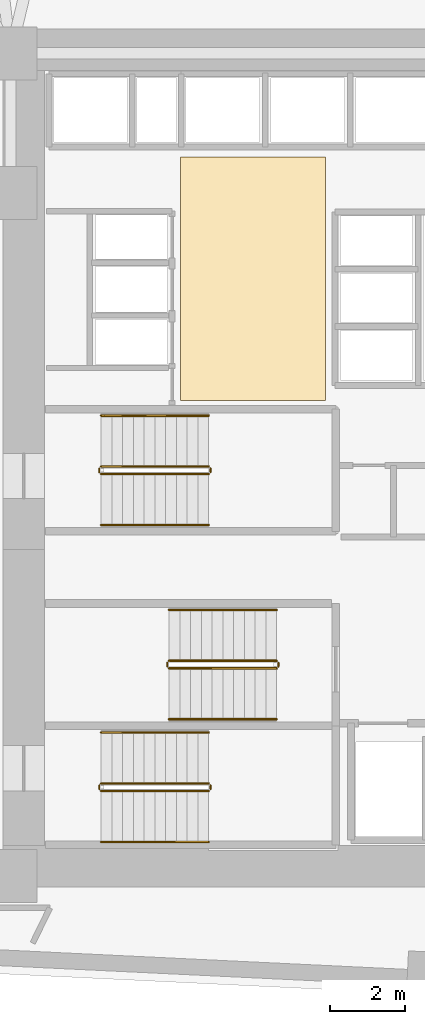
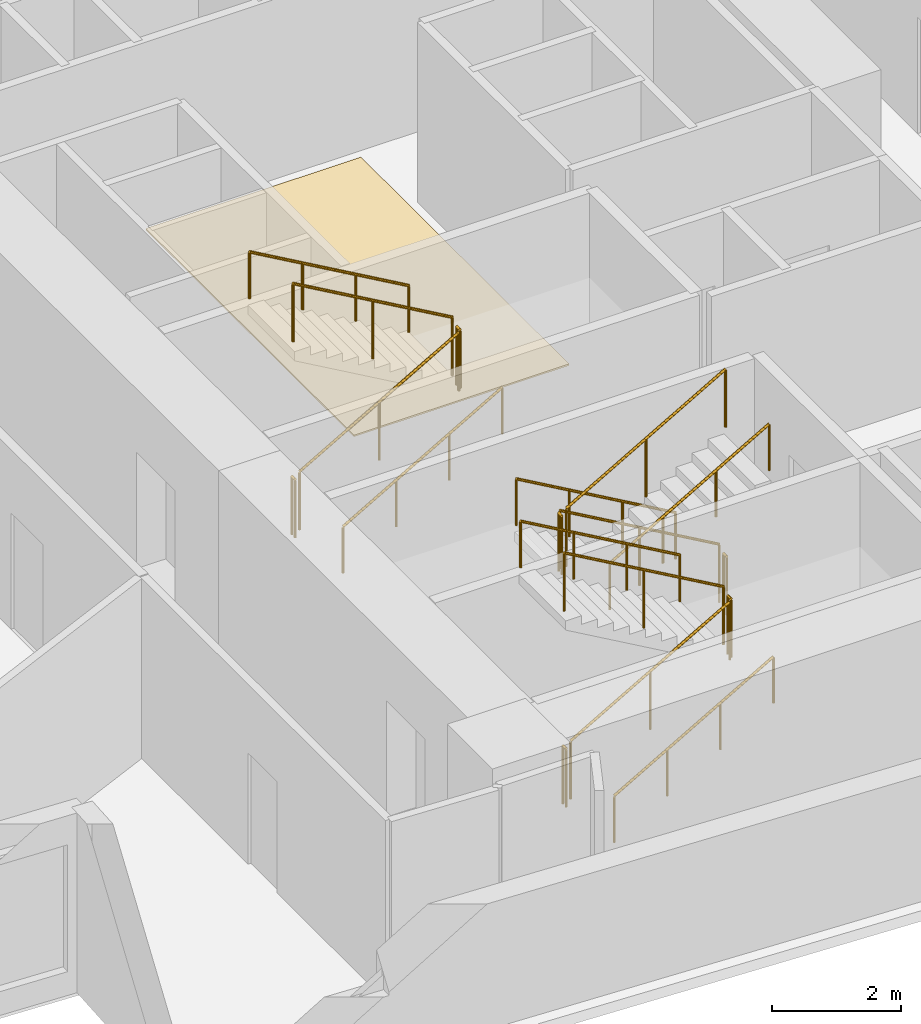
# One storey, part 16 of 17: 18 railings, 1 covering.
"""IFC4 building model written with IfcOpenShell, lengths in metres."""

from ifc_helpers import new_model, si_unit, direction, frame, origin, origin_2d, place, context, subcontext, project, spatial, polyline, circle, outline, extrude, material, layer, layer_set, type_object, element, save


model = new_model("IFC4")

# Units and contexts
model_context = context("Model", 3, precision=1e-05, world=origin(), true_north=direction((0.0, 1.0)))
body_context = subcontext(model_context, "Body", "Model", "MODEL_VIEW")
ifc_project = project(units=[si_unit("LENGTHUNIT", "METRE"), si_unit("AREAUNIT", "SQUARE_METRE"), si_unit("VOLUMEUNIT", "CUBIC_METRE"), si_unit("PLANEANGLEUNIT", "RADIAN"), si_unit("MASSUNIT", "GRAM", prefix="KILO")], contexts=[model_context])

# Site, building, storey
site_placement = place(None, origin())
site = spatial("IfcSite", under=ifc_project, at=site_placement, CompositionType="ELEMENT")
building_placement = place(site_placement, origin())
building = spatial("IfcBuilding", under=site, at=building_placement, Name="Narakoshi Arena Tower", CompositionType="ELEMENT")
storey_placement = place(building_placement, frame((0.0, 0.0, 41.10009765625)))
storey = spatial("IfcBuildingStorey", under=building, at=storey_placement, Name="L10", CompositionType="ELEMENT", Elevation=41.10009765625)

# Covering
ifc_material_1 = material(Name="Honed granite stone paving", Category="masonry")
ifc_layer = layer(ifc_material_1, 0.030029296875)
ifc_layer_set = layer_set([ifc_layer], Name="Honed granite stone paving")
covering_type = type_object("IfcCoveringType", Name="COV-FLR-ST30", PredefinedType="FLOORING", material=ifc_layer_set)
covering_placement = place(storey_placement, origin())
element("IfcCovering", 1, at=covering_placement, inside=storey, type_object=covering_type, Name="L10 Lift Lobby Granite Flooring", PredefinedType="FLOORING", context=body_context, shape_type="SweptSolid", body=[
    extrude(outline(polyline([(76.5, 47.300048828125), (80.35009765625, 47.300048828125), (80.35009765625, 53.75), (76.5, 53.75), (76.5, 47.300048828125)])), origin(), (0.0, 0.0, 1.0), 0.02978515625),
])

# Railings
ifc_material_2 = material(Name="Clear low-iron laminated structural glass", Category="glass")
railing_type_1 = type_object("IfcRailingType", Name="RL-BAL-1100", PredefinedType="BALUSTRADE", material=ifc_material_2)
railing_1_placement = place(storey_placement, frame((74.39990234375, 36.949951171875, 0.16357421875)))
element("IfcRailing", 2, at=railing_1_placement, inside=storey, type_object=railing_type_1, Name="L10 ST1 stair guard 1", PredefinedType="BALUSTRADE", context=body_context, shape_type="SweptSolid", body=[
    extrude(circle(Radius=0.02392578125, at=origin_2d()), frame((0.0, 0.0, 1.09619140625), z_axis=(0.867244780686, 0.0, 0.497882004468), x_axis=(0.0, 1.0, 0.0)), (0.0, 0.0, 1.0), 3.286376953125),
    extrude(circle(Radius=0.02099609375, at=origin_2d()), origin(), (0.0, 0.0, 1.0), 1.072021484375),
    extrude(circle(Radius=0.02099609375, at=origin_2d()), frame((1.425048828125, 0.0, 0.818115234375)), (0.0, 0.0, 1.0), 1.072021484375),
    extrude(circle(Radius=0.02099609375, at=origin_2d()), frame((2.85009765625, 0.0, 1.63623046875)), (0.0, 0.0, 1.0), 1.072021484375),
])
railing_2_placement = place(storey_placement, frame((77.300048828125, 37.0, 1.7998046875)))
element("IfcRailing", 3, at=railing_2_placement, inside=storey, type_object=railing_type_1, Name="L10 ST1 stair guard 2", PredefinedType="BALUSTRADE", context=body_context, shape_type="SweptSolid", body=[
    extrude(circle(Radius=0.02392578125, at=origin_2d()), frame((0.0, 0.0, 1.09619140625), z_axis=(0.0, 1.0, 0.0), x_axis=(-1.0, 0.0, 0.0)), (0.0, 0.0, 1.0), 0.10009765625),
    extrude(circle(Radius=0.02099609375, at=origin_2d()), origin(), (0.0, 0.0, 1.0), 1.072021484375),
    extrude(circle(Radius=0.02099609375, at=origin_2d()), frame((0.0, 0.10009765625, 0.0)), (0.0, 0.0, 1.0), 1.072021484375),
])
railing_3_placement = place(storey_placement, frame((77.25, 37.14990234375, 1.963623046875)))
element("IfcRailing", 4, at=railing_3_placement, inside=storey, type_object=railing_type_1, Name="L10 ST1 stair guard 3", PredefinedType="BALUSTRADE", context=body_context, shape_type="SweptSolid", body=[
    extrude(circle(Radius=0.02392578125, at=origin_2d()), frame((0.0, 0.0, 1.09619140625), z_axis=(-0.867244780686, 0.0, 0.497882004468), x_axis=(0.0, -1.0, 0.0)), (0.0, 0.0, 1.0), 3.286376953125),
    extrude(circle(Radius=0.02099609375, at=origin_2d()), origin(), (0.0, 0.0, 1.0), 1.072021484375),
    extrude(circle(Radius=0.02099609375, at=origin_2d()), frame((-1.425048828125, 0.0, 0.818115234375)), (0.0, 0.0, 1.0), 1.072021484375),
    extrude(circle(Radius=0.02099609375, at=origin_2d()), frame((-2.85009765625, 0.0, 1.63623046875)), (0.0, 0.0, 1.0), 1.072021484375),
])
railing_4_placement = place(storey_placement, frame((74.35009765625, 37.0, 0.0)))
element("IfcRailing", 5, at=railing_4_placement, inside=storey, type_object=railing_type_1, Name="L10 ST1 stair guard 4", PredefinedType="BALUSTRADE", context=body_context, shape_type="SweptSolid", body=[
    extrude(circle(Radius=0.02392578125, at=origin_2d()), frame((0.0, 0.0, 1.09619140625), z_axis=(0.0, 1.0, 0.0), x_axis=(-1.0, 0.0, 0.0)), (0.0, 0.0, 1.0), 0.10009765625),
    extrude(circle(Radius=0.02099609375, at=origin_2d()), origin(), (0.0, 0.0, 1.0), 1.072021484375),
    extrude(circle(Radius=0.02099609375, at=origin_2d()), frame((0.0, 0.10009765625, 0.0)), (0.0, 0.0, 1.0), 1.072021484375),
])
railing_5_placement = place(storey_placement, frame((79.050048828125, 40.39990234375, 0.16357421875)))
element("IfcRailing", 6, at=railing_5_placement, inside=storey, type_object=railing_type_1, Name="L10 ST2 stair guard 1", PredefinedType="BALUSTRADE", context=body_context, shape_type="SweptSolid", body=[
    extrude(circle(Radius=0.02392578125, at=origin_2d()), frame((0.0, 0.0, 1.09619140625), z_axis=(-0.867244780686, 0.0, 0.497882004468), x_axis=(0.0, -1.0, 0.0)), (0.0, 0.0, 1.0), 3.286376953125),
    extrude(circle(Radius=0.02099609375, at=origin_2d()), origin(), (0.0, 0.0, 1.0), 1.072021484375),
    extrude(circle(Radius=0.02099609375, at=origin_2d()), frame((-1.425048828125, 0.0, 0.818115234375)), (0.0, 0.0, 1.0), 1.072021484375),
    extrude(circle(Radius=0.02099609375, at=origin_2d()), frame((-2.85009765625, 0.0, 1.63623046875)), (0.0, 0.0, 1.0), 1.072021484375),
])
railing_6_placement = place(storey_placement, frame((76.14990234375, 40.35009765625, 1.7998046875)))
element("IfcRailing", 7, at=railing_6_placement, inside=storey, type_object=railing_type_1, Name="L10 ST2 stair guard 2", PredefinedType="BALUSTRADE", context=body_context, shape_type="SweptSolid", body=[
    extrude(circle(Radius=0.02392578125, at=origin_2d()), frame((0.0, 0.0, 1.09619140625), z_axis=(0.0, -1.0, 0.0), x_axis=(1.0, 0.0, 0.0)), (0.0, 0.0, 1.0), 0.10009765625),
    extrude(circle(Radius=0.02099609375, at=origin_2d()), origin(), (0.0, 0.0, 1.0), 1.072021484375),
    extrude(circle(Radius=0.02099609375, at=origin_2d()), frame((0.0, -0.10009765625, 0.0)), (0.0, 0.0, 1.0), 1.072021484375),
])
railing_7_placement = place(storey_placement, frame((76.199951171875, 40.199951171875, 1.963623046875)))
element("IfcRailing", 8, at=railing_7_placement, inside=storey, type_object=railing_type_1, Name="L10 ST2 stair guard 3", PredefinedType="BALUSTRADE", context=body_context, shape_type="SweptSolid", body=[
    extrude(circle(Radius=0.02392578125, at=origin_2d()), frame((0.0, 0.0, 1.09619140625), z_axis=(0.867244780686, 0.0, 0.497882004468), x_axis=(0.0, 1.0, 0.0)), (0.0, 0.0, 1.0), 3.286376953125),
    extrude(circle(Radius=0.02099609375, at=origin_2d()), origin(), (0.0, 0.0, 1.0), 1.072021484375),
    extrude(circle(Radius=0.02099609375, at=origin_2d()), frame((1.425048828125, 0.0, 0.818115234375)), (0.0, 0.0, 1.0), 1.072021484375),
    extrude(circle(Radius=0.02099609375, at=origin_2d()), frame((2.85009765625, 0.0, 1.63623046875)), (0.0, 0.0, 1.0), 1.072021484375),
])
railing_8_placement = place(storey_placement, frame((79.10009765625, 40.35009765625, 0.0)))
element("IfcRailing", 9, at=railing_8_placement, inside=storey, type_object=railing_type_1, Name="L10 ST2 stair guard 4", PredefinedType="BALUSTRADE", context=body_context, shape_type="SweptSolid", body=[
    extrude(circle(Radius=0.02392578125, at=origin_2d()), frame((0.0, 0.0, 1.09619140625), z_axis=(0.0, -1.0, 0.0), x_axis=(1.0, 0.0, 0.0)), (0.0, 0.0, 1.0), 0.10009765625),
    extrude(circle(Radius=0.02099609375, at=origin_2d()), origin(), (0.0, 0.0, 1.0), 1.072021484375),
    extrude(circle(Radius=0.02099609375, at=origin_2d()), frame((0.0, -0.10009765625, 0.0)), (0.0, 0.0, 1.0), 1.072021484375),
])
railing_9_placement = place(storey_placement, frame((74.39990234375, 45.35009765625, 0.16357421875)))
element("IfcRailing", 10, at=railing_9_placement, inside=storey, type_object=railing_type_1, Name="L10 ST3 stair guard 1", PredefinedType="BALUSTRADE", context=body_context, shape_type="SweptSolid", body=[
    extrude(circle(Radius=0.02392578125, at=origin_2d()), frame((0.0, 0.0, 1.09619140625), z_axis=(0.867244780686, 0.0, 0.497882004468), x_axis=(0.0, 1.0, 0.0)), (0.0, 0.0, 1.0), 3.286376953125),
    extrude(circle(Radius=0.02099609375, at=origin_2d()), origin(), (0.0, 0.0, 1.0), 1.072021484375),
    extrude(circle(Radius=0.02099609375, at=origin_2d()), frame((1.425048828125, 0.0, 0.818115234375)), (0.0, 0.0, 1.0), 1.072021484375),
    extrude(circle(Radius=0.02099609375, at=origin_2d()), frame((2.85009765625, 0.0, 1.63623046875)), (0.0, 0.0, 1.0), 1.072021484375),
])
railing_10_placement = place(storey_placement, frame((77.300048828125, 45.39990234375, 1.7998046875)))
element("IfcRailing", 11, at=railing_10_placement, inside=storey, type_object=railing_type_1, Name="L10 ST3 stair guard 2", PredefinedType="BALUSTRADE", context=body_context, shape_type="SweptSolid", body=[
    extrude(circle(Radius=0.02392578125, at=origin_2d()), frame((0.0, 0.0, 1.09619140625), z_axis=(0.0, 1.0, 0.0), x_axis=(-1.0, 0.0, 0.0)), (0.0, 0.0, 1.0), 0.10009765625),
    extrude(circle(Radius=0.02099609375, at=origin_2d()), origin(), (0.0, 0.0, 1.0), 1.072021484375),
    extrude(circle(Radius=0.02099609375, at=origin_2d()), frame((0.0, 0.10009765625, 0.0)), (0.0, 0.0, 1.0), 1.072021484375),
])
railing_11_placement = place(storey_placement, frame((77.25, 45.550048828125, 1.963623046875)))
element("IfcRailing", 12, at=railing_11_placement, inside=storey, type_object=railing_type_1, Name="L10 ST3 stair guard 3", PredefinedType="BALUSTRADE", context=body_context, shape_type="SweptSolid", body=[
    extrude(circle(Radius=0.02392578125, at=origin_2d()), frame((0.0, 0.0, 1.09619140625), z_axis=(-0.867244780686, 0.0, 0.497882004468), x_axis=(0.0, -1.0, 0.0)), (0.0, 0.0, 1.0), 3.286376953125),
    extrude(circle(Radius=0.02099609375, at=origin_2d()), origin(), (0.0, 0.0, 1.0), 1.072021484375),
    extrude(circle(Radius=0.02099609375, at=origin_2d()), frame((-1.425048828125, 0.0, 0.818115234375)), (0.0, 0.0, 1.0), 1.072021484375),
    extrude(circle(Radius=0.02099609375, at=origin_2d()), frame((-2.85009765625, 0.0, 1.63623046875)), (0.0, 0.0, 1.0), 1.072021484375),
])
railing_12_placement = place(storey_placement, frame((74.35009765625, 45.39990234375, 0.0)))
element("IfcRailing", 13, at=railing_12_placement, inside=storey, type_object=railing_type_1, Name="L10 ST3 stair guard 4", PredefinedType="BALUSTRADE", context=body_context, shape_type="SweptSolid", body=[
    extrude(circle(Radius=0.02392578125, at=origin_2d()), frame((0.0, 0.0, 1.09619140625), z_axis=(0.0, 1.0, 0.0), x_axis=(-1.0, 0.0, 0.0)), (0.0, 0.0, 1.0), 0.10009765625),
    extrude(circle(Radius=0.02099609375, at=origin_2d()), origin(), (0.0, 0.0, 1.0), 1.072021484375),
    extrude(circle(Radius=0.02099609375, at=origin_2d()), frame((0.0, 0.10009765625, 0.0)), (0.0, 0.0, 1.0), 1.072021484375),
])
ifc_material_3 = material(Name="Brushed bronze stainless steel", Category="steel")
railing_type_2 = type_object("IfcRailingType", Name="RL-HND-900", PredefinedType="HANDRAIL", material=ifc_material_3)
railing_13_placement = place(storey_placement, frame((74.39990234375, 35.60009765625, 0.16357421875)))
element("IfcRailing", 14, at=railing_13_placement, inside=storey, type_object=railing_type_2, Name="L10 ST1 stair handrail 1", PredefinedType="HANDRAIL", context=body_context, shape_type="SweptSolid", body=[
    extrude(circle(Radius=0.02392578125, at=origin_2d()), frame((0.0, 0.0, 0.8759765625), z_axis=(0.867244780686, 0.0, 0.497882004468), x_axis=(0.0, 1.0, 0.0)), (0.0, 0.0, 1.0), 3.286376953125),
    extrude(circle(Radius=0.02099609375, at=origin_2d()), origin(), (0.0, 0.0, 1.0), 0.851806640625),
    extrude(circle(Radius=0.02099609375, at=origin_2d()), frame((0.949951171875, 0.0, 0.54541015625)), (0.0, 0.0, 1.0), 0.851806640625),
    extrude(circle(Radius=0.02099609375, at=origin_2d()), frame((1.900146484375, 0.0, 1.0908203125)), (0.0, 0.0, 1.0), 0.851806640625),
    extrude(circle(Radius=0.02099609375, at=origin_2d()), frame((2.85009765625, 0.0, 1.63623046875)), (0.0, 0.0, 1.0), 0.851806640625),
])
for number, where, name in (
    (15, (77.25, 38.5, 1.963623046875), "L10 ST1 stair handrail 2"),
    (16, (79.050048828125, 41.75, 0.16357421875), "L10 ST2 stair handrail 1"),
):
    element("IfcRailing", number, at=place(storey_placement, frame(where)), inside=storey, type_object=railing_type_2, Name=name, PredefinedType="HANDRAIL", context=body_context, shape_type="SweptSolid", body=[
        extrude(circle(Radius=0.02392578125, at=origin_2d()), frame((0.0, 0.0, 0.8759765625), z_axis=(-0.867244780686, 0.0, 0.497882004468), x_axis=(0.0, -1.0, 0.0)), (0.0, 0.0, 1.0), 3.286376953125),
        extrude(circle(Radius=0.02099609375, at=origin_2d()), origin(), (0.0, 0.0, 1.0), 0.851806640625),
        extrude(circle(Radius=0.02099609375, at=origin_2d()), frame((-0.949951171875, 0.0, 0.54541015625)), (0.0, 0.0, 1.0), 0.851806640625),
        extrude(circle(Radius=0.02099609375, at=origin_2d()), frame((-1.900146484375, 0.0, 1.0908203125)), (0.0, 0.0, 1.0), 0.851806640625),
        extrude(circle(Radius=0.02099609375, at=origin_2d()), frame((-2.85009765625, 0.0, 1.63623046875)), (0.0, 0.0, 1.0), 0.851806640625),
    ])
for number, where, name in (
    (17, (76.199951171875, 38.85009765625, 1.963623046875), "L10 ST2 stair handrail 2"),
    (18, (74.39990234375, 44.0, 0.16357421875), "L10 ST3 stair handrail 1"),
):
    element("IfcRailing", number, at=place(storey_placement, frame(where)), inside=storey, type_object=railing_type_2, Name=name, PredefinedType="HANDRAIL", context=body_context, shape_type="SweptSolid", body=[
        extrude(circle(Radius=0.02392578125, at=origin_2d()), frame((0.0, 0.0, 0.8759765625), z_axis=(0.867244780686, 0.0, 0.497882004468), x_axis=(0.0, 1.0, 0.0)), (0.0, 0.0, 1.0), 3.286376953125),
        extrude(circle(Radius=0.02099609375, at=origin_2d()), origin(), (0.0, 0.0, 1.0), 0.851806640625),
        extrude(circle(Radius=0.02099609375, at=origin_2d()), frame((0.949951171875, 0.0, 0.54541015625)), (0.0, 0.0, 1.0), 0.851806640625),
        extrude(circle(Radius=0.02099609375, at=origin_2d()), frame((1.900146484375, 0.0, 1.0908203125)), (0.0, 0.0, 1.0), 0.851806640625),
        extrude(circle(Radius=0.02099609375, at=origin_2d()), frame((2.85009765625, 0.0, 1.63623046875)), (0.0, 0.0, 1.0), 0.851806640625),
    ])
railing_14_placement = place(storey_placement, frame((77.25, 46.89990234375, 1.963623046875)))
element("IfcRailing", 19, at=railing_14_placement, inside=storey, type_object=railing_type_2, Name="L10 ST3 stair handrail 2", PredefinedType="HANDRAIL", context=body_context, shape_type="SweptSolid", body=[
    extrude(circle(Radius=0.02392578125, at=origin_2d()), frame((0.0, 0.0, 0.8759765625), z_axis=(-0.867244780686, 0.0, 0.497882004468), x_axis=(0.0, -1.0, 0.0)), (0.0, 0.0, 1.0), 3.286376953125),
    extrude(circle(Radius=0.02099609375, at=origin_2d()), origin(), (0.0, 0.0, 1.0), 0.851806640625),
    extrude(circle(Radius=0.02099609375, at=origin_2d()), frame((-0.949951171875, 0.0, 0.54541015625)), (0.0, 0.0, 1.0), 0.851806640625),
    extrude(circle(Radius=0.02099609375, at=origin_2d()), frame((-1.900146484375, 0.0, 1.0908203125)), (0.0, 0.0, 1.0), 0.851806640625),
    extrude(circle(Radius=0.02099609375, at=origin_2d()), frame((-2.85009765625, 0.0, 1.63623046875)), (0.0, 0.0, 1.0), 0.851806640625),
])

save(model, "model.ifc")
